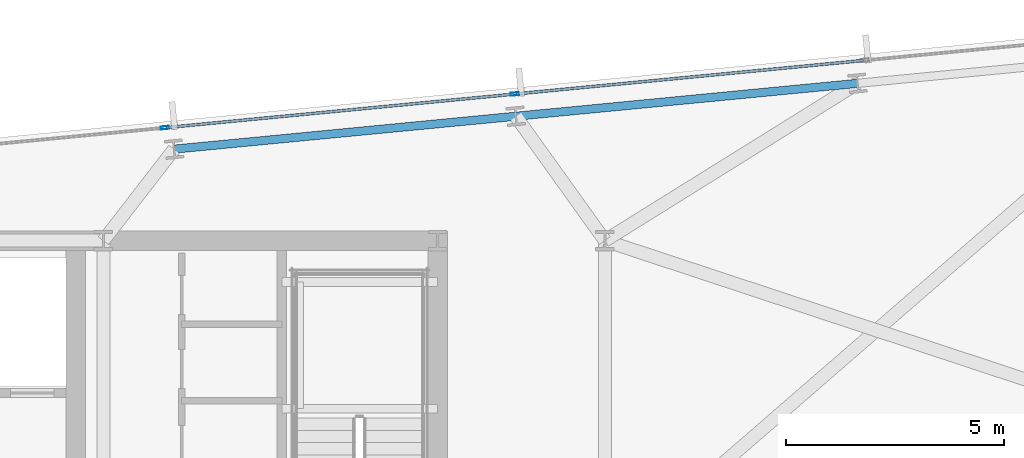
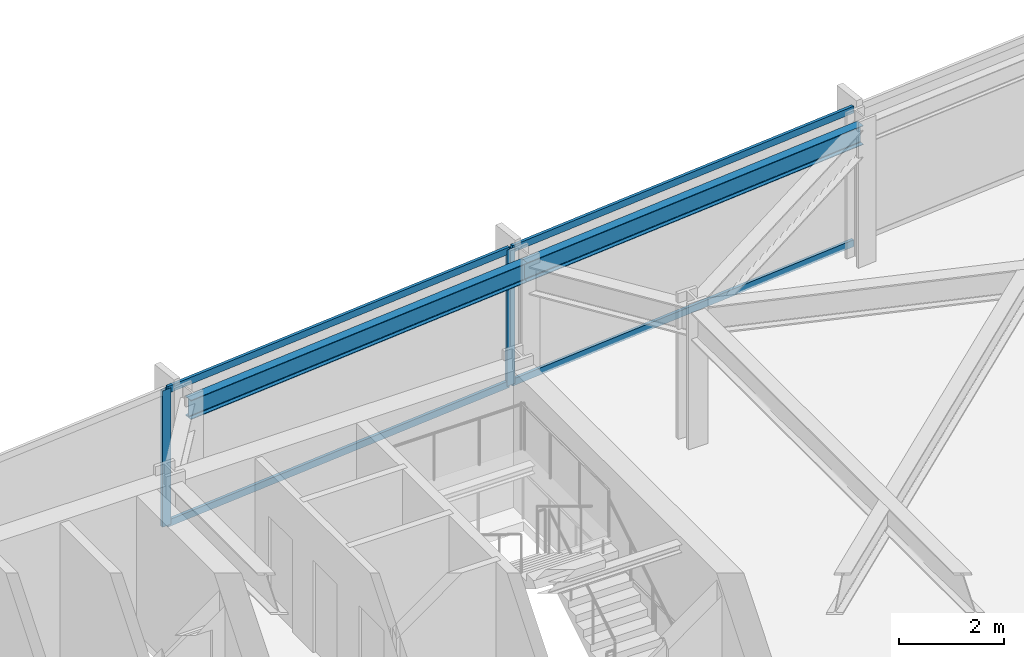
# One storey, part 21 of 32: 6 members, 2 beams, 1 element without a shape of its own.
"""IFC4 building model written with IfcOpenShell, lengths in metres."""

from ifc_helpers import new_model, si_unit, direction, frame, origin, origin_2d, place, context, subcontext, project, spatial, hollow_rectangle, i_section, extrude, material, material_profile, profile_set, type_object, element, aggregate, save


model = new_model("IFC4")

# Units and contexts
model_context = context("Model", 3, precision=1e-05, world=origin(), true_north=direction((0.0, 1.0)))
body_context = subcontext(model_context, "Body", "Model", "MODEL_VIEW")
ifc_project = project(units=[si_unit("LENGTHUNIT", "METRE"), si_unit("AREAUNIT", "SQUARE_METRE"), si_unit("VOLUMEUNIT", "CUBIC_METRE"), si_unit("PLANEANGLEUNIT", "RADIAN"), si_unit("MASSUNIT", "GRAM", prefix="KILO")], contexts=[model_context])

# Site, building, storey
site_placement = place(None, origin())
site = spatial("IfcSite", under=ifc_project, at=site_placement, CompositionType="ELEMENT")
building_placement = place(site_placement, origin())
building = spatial("IfcBuilding", under=site, at=building_placement, Name="Yelkora Congress Tower", CompositionType="ELEMENT")
storey_placement = place(building_placement, frame((0.0, 0.0, 99.89990234375)))
storey = spatial("IfcBuildingStorey", under=building, at=storey_placement, Name="L26", CompositionType="ELEMENT", Elevation=99.89990234375)

# Beams
ifc_material_1 = material(Name="Steel S355J2", Category="steel")
ifc_material_profile_1 = material_profile(ifc_material_1, i_section(OverallWidth=0.18994140625, OverallDepth=0.449951171875, WebThickness=0.009521484375, FlangeThickness=0.0146484375, FilletRadius=0.02099609375, at=origin_2d()), Name="IPE 450")
ifc_profile_set_1 = profile_set([ifc_material_profile_1], Name="Steel S355J2")
beam_type = type_object("IfcBeamType", Name="BM-SPAN-IPE450", PredefinedType="SPANDREL", material=ifc_profile_set_1)
for number, where, z_axis, x_axis, name in (
    (1, (63.4033203125, 49.81201171875, 2.955078125), (-0.995398529126, -0.09582154358, 0.0), (0.09582154358, -0.995398529126, 0.0), "L26 Perimeter Beam 15"),
    (2, (55.553955078125, 49.056396484375, 2.955078125), (-0.995395575667, -0.095852219286, 0.0), (0.095852219286, -0.995395575667, 0.0), "L26 Perimeter Beam 16"),
):
    element("IfcBeam", number, at=place(storey_placement, frame(where, z_axis=z_axis, x_axis=x_axis)), inside=storey, type_object=beam_type, Name=name, PredefinedType="SPANDREL", context=body_context, shape_type="SweptSolid", body=[
        extrude(i_section(OverallWidth=0.18994140625, OverallDepth=0.449951171875, WebThickness=0.009521484375, FlangeThickness=0.0146484375, FilletRadius=0.02099609375, at=origin_2d()), origin(), (0.0, 0.0, 1.0), 7.8857421875),
    ])

# Curtain wall, members
ifc_material_2 = material(Name="Anodised aluminium and insulated glass", Category="aluminium")
curtain_wall_type = type_object("IfcCurtainWallType", Name="CW-SYS-B2", PredefinedType="NOTDEFINED", material=ifc_material_2)
curtain_wall_placement = place(storey_placement, origin())
curtain_wall = element("IfcCurtainWall", 3, at=curtain_wall_placement, inside=storey, type_object=curtain_wall_type, Name="L26 Unitised Curtain Wall 10 (3)", PredefinedType="NOTDEFINED")
ifc_material_3 = material(Name="Anodised aluminium 6063-T6", Category="aluminium")
ifc_material_profile_2 = material_profile(ifc_material_3, hollow_rectangle(XDim=0.070068359375, YDim=0.18994140625, WallThickness=0.00390625, at=origin_2d()), Name="ALU 70x190x4")
ifc_profile_set_2 = profile_set([ifc_material_profile_2], Name="Anodised aluminium 6063-T6")
member_type_1 = type_object("IfcMemberType", Name="MEM-ML-B2", PredefinedType="MULLION", material=ifc_profile_set_2)
member_1_placement = place(storey_placement, frame((47.491943359375, 48.79248046875, 0.0), z_axis=(0.0, 0.0, 1.0), x_axis=(-0.095844238468, 0.995396344153, 0.0)))
member_1 = element("IfcMember", 4, at=member_1_placement, type_object=member_type_1, Name="CW-B2 mullion 4", PredefinedType="MULLION", context=body_context, shape_type="SweptSolid", body=[
    extrude(hollow_rectangle(XDim=0.070068359375, YDim=0.18994140625, WallThickness=0.00390625, at=origin_2d()), origin(), (0.0, 0.0, 1.0), 3.18017578125),
])
member_2_placement = place(storey_placement, frame((55.531982421875, 49.566650390625, 0.0), z_axis=(0.0, 0.0, 1.0), x_axis=(-0.095844238468, 0.995396344153, 0.0)))
member_2 = element("IfcMember", 5, at=member_2_placement, type_object=member_type_1, Name="CW-B2 mullion 5", PredefinedType="MULLION", context=body_context, shape_type="SweptSolid", body=[
    extrude(hollow_rectangle(XDim=0.070068359375, YDim=0.18994140625, WallThickness=0.00390625, at=origin_2d()), origin(), (0.0, 0.0, 1.0), 3.18017578125),
])
ifc_material_profile_3 = material_profile(ifc_material_3, hollow_rectangle(XDim=0.06494140625, YDim=0.159912109375, WallThickness=0.00390625, at=origin_2d()), Name="ALU 65x160x4")
ifc_profile_set_3 = profile_set([ifc_material_profile_3], Name="Anodised aluminium 6063-T6")
member_type_2 = type_object("IfcMemberType", Name="MEM-TR-B2", PredefinedType="USERDEFINED", material=ifc_profile_set_3)
member_3_placement = place(storey_placement, frame((47.52685546875, 48.7958984375, 0.03271484375), z_axis=(0.995397513894, 0.095832089266, 0.0), x_axis=(-0.095832089266, 0.995397513894, 0.0)))
member_3 = element("IfcMember", 6, at=member_3_placement, type_object=member_type_2, Name="CW-B2 transom 4.1", ObjectType="TRANSOM", PredefinedType="USERDEFINED", context=body_context, shape_type="SweptSolid", body=[
    extrude(hollow_rectangle(XDim=0.06494140625, YDim=0.159912109375, WallThickness=0.00390625, at=origin_2d()), origin(), (0.0, 0.0, 1.0), 8.007080078125),
])
member_4_placement = place(storey_placement, frame((47.52685546875, 48.7958984375, 3.147705078125), z_axis=(0.995397513894, 0.095832089266, 0.0), x_axis=(-0.095832089266, 0.995397513894, 0.0)))
member_4 = element("IfcMember", 7, at=member_4_placement, type_object=member_type_2, Name="CW-B2 transom 4.2", ObjectType="TRANSOM", PredefinedType="USERDEFINED", context=body_context, shape_type="SweptSolid", body=[
    extrude(hollow_rectangle(XDim=0.06494140625, YDim=0.159912109375, WallThickness=0.00390625, at=origin_2d()), origin(), (0.0, 0.0, 1.0), 8.007080078125),
])
member_5_placement = place(storey_placement, frame((55.566650390625, 49.570068359375, 0.03271484375), z_axis=(0.995397793901, 0.09582918082, 0.0), x_axis=(-0.09582918082, 0.995397793901, 0.0)))
member_5 = element("IfcMember", 8, at=member_5_placement, type_object=member_type_2, Name="CW-B2 transom 5.1", ObjectType="TRANSOM", PredefinedType="USERDEFINED", context=body_context, shape_type="SweptSolid", body=[
    extrude(hollow_rectangle(XDim=0.06494140625, YDim=0.159912109375, WallThickness=0.00390625, at=origin_2d()), origin(), (0.0, 0.0, 1.0), 8.00732421875),
])
member_6_placement = place(storey_placement, frame((55.566650390625, 49.570068359375, 3.147705078125), z_axis=(0.995397793901, 0.09582918082, 0.0), x_axis=(-0.09582918082, 0.995397793901, 0.0)))
member_6 = element("IfcMember", 9, at=member_6_placement, type_object=member_type_2, Name="CW-B2 transom 5.2", ObjectType="TRANSOM", PredefinedType="USERDEFINED", context=body_context, shape_type="SweptSolid", body=[
    extrude(hollow_rectangle(XDim=0.06494140625, YDim=0.159912109375, WallThickness=0.00390625, at=origin_2d()), origin(), (0.0, 0.0, 1.0), 8.00732421875),
])
aggregate(curtain_wall, [member_1, member_2, member_3, member_4, member_5, member_6])

save(model, "model.ifc")
